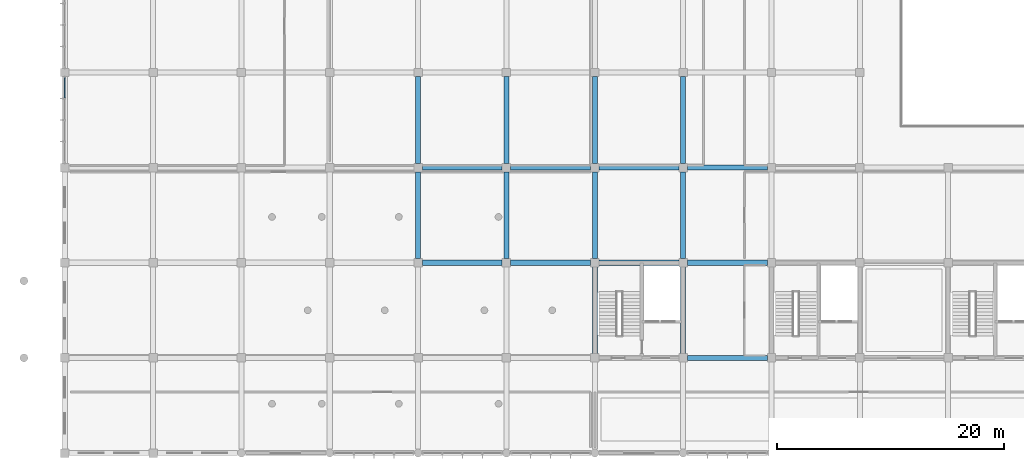
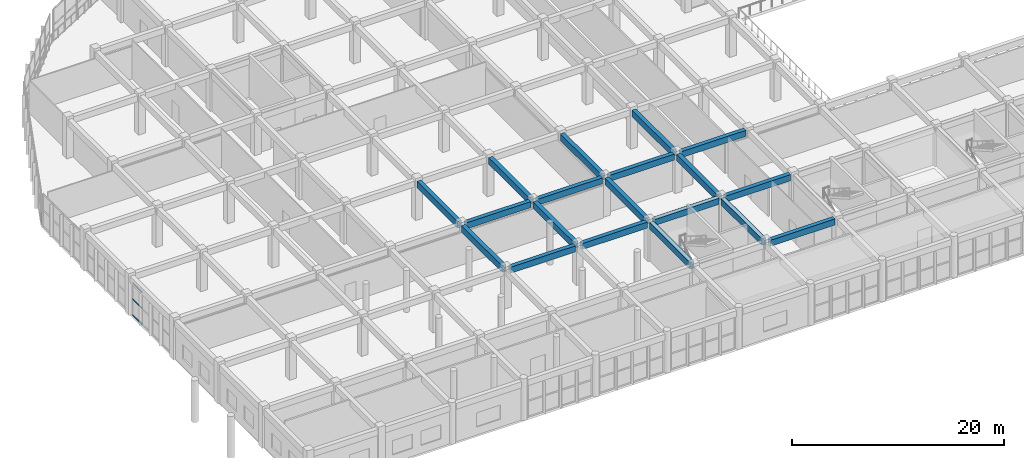
# One storey, part 15 of 167: 19 beams, 3 members, 1 element without a shape of its own.
"""IFC4 building model written with IfcOpenShell, lengths in metres."""

from ifc_helpers import new_model, si_unit, direction, frame, origin, origin_2d, place, context, subcontext, project, spatial, rectangle, hollow_rectangle, extrude, material, layer, layer_set, material_profile, profile_set, type_object, element, aggregate, save


model = new_model("IFC4")

# Units and contexts
model_context = context("Model", 3, precision=1e-05, world=origin(), true_north=direction((0.0, 1.0)))
body_context = subcontext(model_context, "Body", "Model", "MODEL_VIEW")
ifc_project = project(units=[si_unit("LENGTHUNIT", "METRE"), si_unit("AREAUNIT", "SQUARE_METRE"), si_unit("VOLUMEUNIT", "CUBIC_METRE"), si_unit("PLANEANGLEUNIT", "RADIAN"), si_unit("MASSUNIT", "GRAM", prefix="KILO")], contexts=[model_context])

# Site, building, storey
site_placement = place(None, origin())
site = spatial("IfcSite", under=ifc_project, at=site_placement, CompositionType="ELEMENT")
building_placement = place(site_placement, origin())
building = spatial("IfcBuilding", under=site, at=building_placement, Name="Zizhar Promenade General Hospital", CompositionType="ELEMENT")
storey_placement = place(building_placement, frame((0.0, 0.0, 9.60009765625)))
storey = spatial("IfcBuildingStorey", under=building, at=storey_placement, Name="L02", CompositionType="ELEMENT", Elevation=9.60009765625)

# Beams
ifc_material_1 = material(Name="Concrete C35/45", Category="concrete")
ifc_material_profile_1 = material_profile(ifc_material_1, rectangle(XDim=0.449951171875, YDim=0.699951171875, at=origin_2d()))
ifc_profile_set_1 = profile_set([ifc_material_profile_1], Name="Concrete C35/45")
beam_type_1 = type_object("IfcBeamType", Name="BM-RC-450x700", PredefinedType="BEAM", material=ifc_profile_set_1)
for number, where, z_axis, x_axis, name in (
    (1, (31.574951171875, 16.800048828125, 4.119873046875), (1.0, 0.0, 0.0), (0.0, 1.0, 0.0), "Grid Beam X L02 (4-2)"),
    (2, (31.574951171875, 25.199951171875, 4.119873046875), (1.0, 0.0, 0.0), (0.0, 1.0, 0.0), "Grid Beam X L02 (4-3)"),
    (3, (39.375, 16.800048828125, 4.119873046875), (1.0, 0.0, 0.0), (0.0, 1.0, 0.0), "Grid Beam X L02 (5-2)"),
    (4, (39.375, 25.199951171875, 4.119873046875), (1.0, 0.0, 0.0), (0.0, 1.0, 0.0), "Grid Beam X L02 (5-3)"),
    (5, (47.175048828125, 16.800048828125, 4.119873046875), (1.0, 0.0, 0.0), (0.0, 1.0, 0.0), "Grid Beam X L02 (6-2)"),
    (6, (47.175048828125, 25.199951171875, 4.119873046875), (1.0, 0.0, 0.0), (0.0, 1.0, 0.0), "Grid Beam X L02 (6-3)"),
):
    element("IfcBeam", number, at=place(storey_placement, frame(where, z_axis=z_axis, x_axis=x_axis)), inside=storey, type_object=beam_type_1, Name=name, PredefinedType="BEAM", context=body_context, shape_type="SweptSolid", body=[
        extrude(rectangle(XDim=0.449951171875, YDim=0.699951171875, at=origin_2d()), origin(), (0.0, 0.0, 1.0), 7.050048828125),
    ])
for number, where, z_axis, x_axis, name in (
    (7, (54.97509765625, 8.39990234375, 4.119873046875), (1.0, 0.0, 0.0), (0.0, 1.0, 0.0), "Grid Beam X L02 (7-1)"),
    (8, (54.97509765625, 16.800048828125, 4.119873046875), (1.0, 0.0, 0.0), (0.0, 1.0, 0.0), "Grid Beam X L02 (7-2)"),
    (9, (54.97509765625, 25.199951171875, 4.119873046875), (1.0, 0.0, 0.0), (0.0, 1.0, 0.0), "Grid Beam X L02 (7-3)"),
):
    element("IfcBeam", number, at=place(storey_placement, frame(where, z_axis=z_axis, x_axis=x_axis)), inside=storey, type_object=beam_type_1, Name=name, PredefinedType="BEAM", context=body_context, shape_type="SweptSolid", body=[
        extrude(rectangle(XDim=0.449951171875, YDim=0.699951171875, at=origin_2d()), origin(), (0.0, 0.0, 1.0), 7.0498046875),
    ])
ifc_material_2 = material(Name="Concrete C35/45", Category="concrete")
ifc_material_profile_2 = material_profile(ifc_material_2, rectangle(XDim=0.449951171875, YDim=0.75, at=origin_2d()))
ifc_profile_set_2 = profile_set([ifc_material_profile_2], Name="Concrete C35/45")
beam_type_2 = type_object("IfcBeamType", Name="BM-RC-450x750", PredefinedType="BEAM", material=ifc_profile_set_2)
beam_1_placement = place(storey_placement, frame((31.199951171875, 17.175048828125, 4.094970703125), z_axis=(0.0, 1.0, 0.0), x_axis=(-1.0, 0.0, 0.0)))
element("IfcBeam", 10, at=beam_1_placement, inside=storey, type_object=beam_type_2, Name="Grid Beam Y L02 (4-2)", PredefinedType="BEAM", context=body_context, shape_type="SweptSolid", body=[
    extrude(rectangle(XDim=0.449951171875, YDim=0.75, at=origin_2d()), origin(), (0.0, 0.0, 1.0), 7.64990234375),
])
beam_2_placement = place(storey_placement, frame((31.199951171875, 25.574951171875, 4.094970703125), z_axis=(0.0, 1.0, 0.0), x_axis=(-1.0, 0.0, 0.0)))
element("IfcBeam", 11, at=beam_2_placement, inside=storey, type_object=beam_type_2, Name="Grid Beam Y L02 (4-3)", PredefinedType="BEAM", context=body_context, shape_type="SweptSolid", body=[
    extrude(rectangle(XDim=0.449951171875, YDim=0.75, at=origin_2d()), origin(), (0.0, 0.0, 1.0), 7.650146484375),
])
beam_3_placement = place(storey_placement, frame((39.0, 17.175048828125, 4.094970703125), z_axis=(0.0, 1.0, 0.0), x_axis=(-1.0, 0.0, 0.0)))
element("IfcBeam", 12, at=beam_3_placement, inside=storey, type_object=beam_type_2, Name="Grid Beam Y L02 (5-2)", PredefinedType="BEAM", context=body_context, shape_type="SweptSolid", body=[
    extrude(rectangle(XDim=0.449951171875, YDim=0.75, at=origin_2d()), origin(), (0.0, 0.0, 1.0), 7.64990234375),
])
for number, where, z_axis, x_axis, name in (
    (13, (39.0, 25.574951171875, 4.094970703125), (0.0, 1.0, 0.0), (-1.0, 0.0, 0.0), "Grid Beam Y L02 (5-3)"),
    (14, (46.800048828125, 8.77490234375, 4.094970703125), (0.0, 1.0, 0.0), (-1.0, 0.0, 0.0), "Grid Beam Y L02 (6-1)"),
):
    element("IfcBeam", number, at=place(storey_placement, frame(where, z_axis=z_axis, x_axis=x_axis)), inside=storey, type_object=beam_type_2, Name=name, PredefinedType="BEAM", context=body_context, shape_type="SweptSolid", body=[
        extrude(rectangle(XDim=0.449951171875, YDim=0.75, at=origin_2d()), origin(), (0.0, 0.0, 1.0), 7.650146484375),
    ])
beam_4_placement = place(storey_placement, frame((46.800048828125, 17.175048828125, 4.094970703125), z_axis=(0.0, 1.0, 0.0), x_axis=(-1.0, 0.0, 0.0)))
element("IfcBeam", 15, at=beam_4_placement, inside=storey, type_object=beam_type_2, Name="Grid Beam Y L02 (6-2)", PredefinedType="BEAM", context=body_context, shape_type="SweptSolid", body=[
    extrude(rectangle(XDim=0.449951171875, YDim=0.75, at=origin_2d()), origin(), (0.0, 0.0, 1.0), 7.64990234375),
])
for number, where, z_axis, x_axis, name in (
    (16, (46.800048828125, 25.574951171875, 4.094970703125), (0.0, 1.0, 0.0), (-1.0, 0.0, 0.0), "Grid Beam Y L02 (6-3)"),
    (17, (54.60009765625, 8.77490234375, 4.094970703125), (0.0, 1.0, 0.0), (-1.0, 0.0, 0.0), "Grid Beam Y L02 (7-1)"),
):
    element("IfcBeam", number, at=place(storey_placement, frame(where, z_axis=z_axis, x_axis=x_axis)), inside=storey, type_object=beam_type_2, Name=name, PredefinedType="BEAM", context=body_context, shape_type="SweptSolid", body=[
        extrude(rectangle(XDim=0.449951171875, YDim=0.75, at=origin_2d()), origin(), (0.0, 0.0, 1.0), 7.650146484375),
    ])
beam_5_placement = place(storey_placement, frame((54.60009765625, 17.175048828125, 4.094970703125), z_axis=(0.0, 1.0, 0.0), x_axis=(-1.0, 0.0, 0.0)))
element("IfcBeam", 18, at=beam_5_placement, inside=storey, type_object=beam_type_2, Name="Grid Beam Y L02 (7-2)", PredefinedType="BEAM", context=body_context, shape_type="SweptSolid", body=[
    extrude(rectangle(XDim=0.449951171875, YDim=0.75, at=origin_2d()), origin(), (0.0, 0.0, 1.0), 7.64990234375),
])
beam_6_placement = place(storey_placement, frame((54.60009765625, 25.574951171875, 4.094970703125), z_axis=(0.0, 1.0, 0.0), x_axis=(-1.0, 0.0, 0.0)))
element("IfcBeam", 19, at=beam_6_placement, inside=storey, type_object=beam_type_2, Name="Grid Beam Y L02 (7-3)", PredefinedType="BEAM", context=body_context, shape_type="SweptSolid", body=[
    extrude(rectangle(XDim=0.449951171875, YDim=0.75, at=origin_2d()), origin(), (0.0, 0.0, 1.0), 7.650146484375),
])

# Curtain wall, members
ifc_material_3 = material(Name="Anodised aluminium 6063-T6 and low-E glass", Category="aluminium")
ifc_layer = layer(ifc_material_3, 0.159912109375)
ifc_layer_set = layer_set([ifc_layer], Name="Anodised aluminium 6063-T6 and low-E glass")
curtain_wall_type = type_object("IfcCurtainWallType", Name="CW-ED-FRONT", PredefinedType="NOTDEFINED", material=ifc_layer_set)
curtain_wall_placement = place(storey_placement, origin())
curtain_wall = element("IfcCurtainWall", 20, at=curtain_wall_placement, inside=storey, type_object=curtain_wall_type, Name="West Diagnostic Arm Glazed Curtain Wall L02-W3", PredefinedType="NOTDEFINED")
ifc_material_4 = material(Name="Anodised aluminium 6063-T6", Category="aluminium")
ifc_material_profile_3 = material_profile(ifc_material_4, hollow_rectangle(XDim=0.06005859375, YDim=0.14990234375, WallThickness=0.00390625, at=origin_2d()))
ifc_profile_set_3 = profile_set([ifc_material_profile_3], Name="Anodised aluminium 6063-T6")
member_type = type_object("IfcMemberType", Name="CWT-ALU-150x60", PredefinedType="USERDEFINED", material=ifc_profile_set_3)
member_1_placement = place(storey_placement, frame((0.0, 31.35009765625, 0.02978515625), z_axis=(0.0, 1.0, 0.0), x_axis=(-1.0, 0.0, 0.0)))
member_1 = element("IfcMember", 21, at=member_1_placement, type_object=member_type, Name="CW-06 transom 4.1", ObjectType="TRANSOM", PredefinedType="USERDEFINED", context=body_context, shape_type="SweptSolid", body=[
    extrude(hollow_rectangle(XDim=0.06005859375, YDim=0.14990234375, WallThickness=0.00390625, at=origin_2d()), origin(), (0.0, 0.0, 1.0), 1.789794921875),
])
member_2_placement = place(storey_placement, frame((0.0, 31.35009765625, 1.864990234375), z_axis=(0.0, 1.0, 0.0), x_axis=(-1.0, 0.0, 0.0)))
member_2 = element("IfcMember", 22, at=member_2_placement, type_object=member_type, Name="CW-06 transom 4.2", ObjectType="TRANSOM", PredefinedType="USERDEFINED", context=body_context, shape_type="SweptSolid", body=[
    extrude(hollow_rectangle(XDim=0.06005859375, YDim=0.14990234375, WallThickness=0.00390625, at=origin_2d()), origin(), (0.0, 0.0, 1.0), 1.789794921875),
])
member_3_placement = place(storey_placement, frame((0.0, 31.35009765625, 3.699951171875), z_axis=(0.0, 1.0, 0.0), x_axis=(-1.0, 0.0, 0.0)))
member_3 = element("IfcMember", 23, at=member_3_placement, type_object=member_type, Name="CW-06 transom 4.3", ObjectType="TRANSOM", PredefinedType="USERDEFINED", context=body_context, shape_type="SweptSolid", body=[
    extrude(hollow_rectangle(XDim=0.06005859375, YDim=0.14990234375, WallThickness=0.00390625, at=origin_2d()), origin(), (0.0, 0.0, 1.0), 1.789794921875),
])
aggregate(curtain_wall, [member_1, member_2, member_3])

save(model, "model.ifc")
